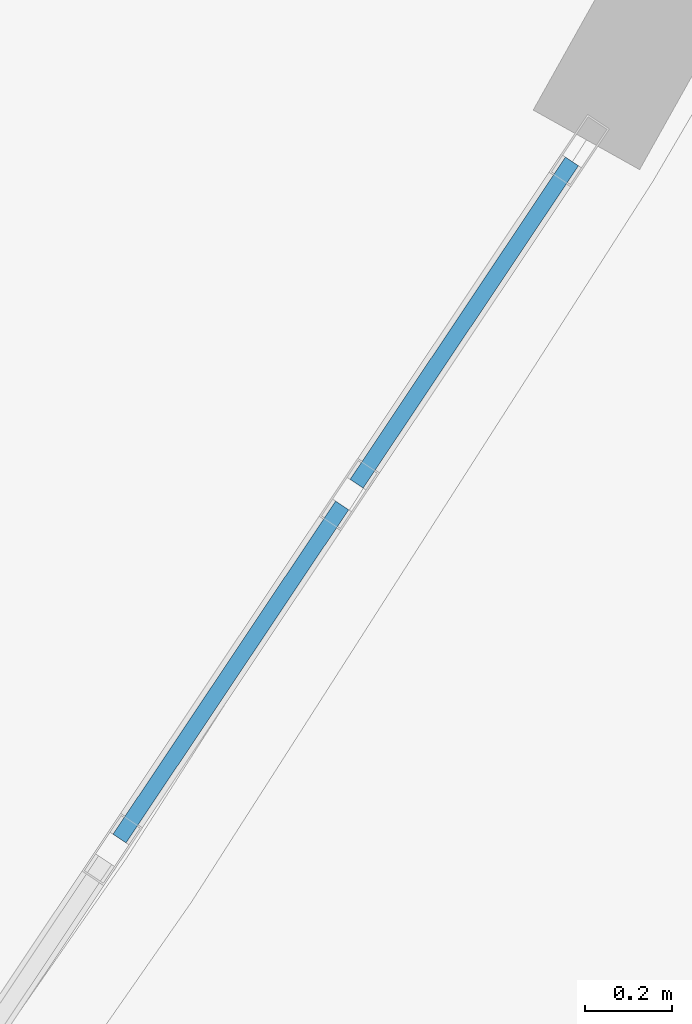
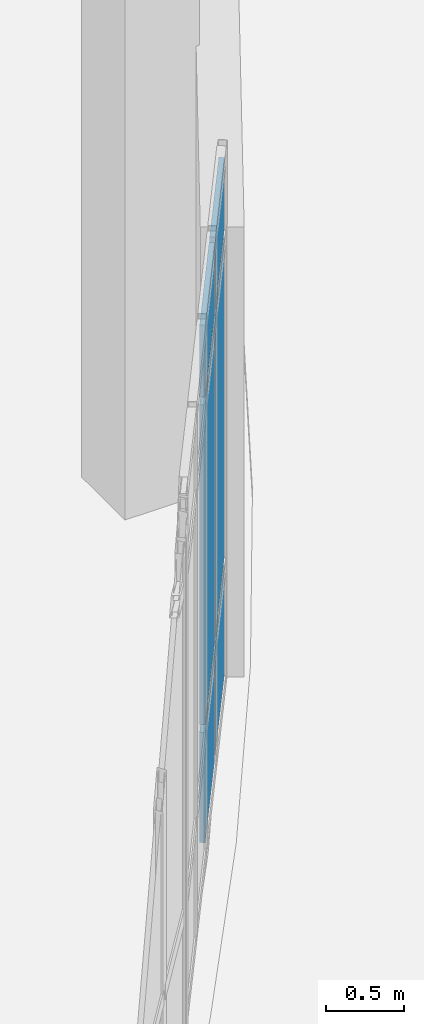
# One storey, part 101 of 134: 6 plates, 1 element without a shape of its own.
"""IFC4 building model written with IfcOpenShell, lengths in metres."""

from ifc_helpers import new_model, si_unit, direction, frame, origin, origin_2d, place, context, subcontext, project, spatial, rectangle, extrude, material, layer, layer_set, type_object, element, aggregate, save


model = new_model("IFC4")

# Units and contexts
model_context = context("Model", 3, precision=1e-05, world=origin(), true_north=direction((0.0, 1.0)))
body_context = subcontext(model_context, "Body", "Model", "MODEL_VIEW")
ifc_project = project(units=[si_unit("LENGTHUNIT", "METRE"), si_unit("AREAUNIT", "SQUARE_METRE"), si_unit("VOLUMEUNIT", "CUBIC_METRE"), si_unit("PLANEANGLEUNIT", "RADIAN"), si_unit("MASSUNIT", "GRAM", prefix="KILO")], contexts=[model_context])

# Site, building, storey
site_placement = place(None, origin())
site = spatial("IfcSite", under=ifc_project, at=site_placement, CompositionType="ELEMENT")
building_placement = place(site_placement, origin())
building = spatial("IfcBuilding", under=site, at=building_placement, Name="Kalluvel Institute of Natural Sciences", CompositionType="ELEMENT")
storey_placement = place(building_placement, frame((0.0, 0.0, 5.39990234375)))
storey = spatial("IfcBuildingStorey", under=building, at=storey_placement, Name="L01", CompositionType="ELEMENT", Elevation=5.39990234375)

# Curtain wall, plates
ifc_material_1 = material(Name="Aluminium AW-6063 T6", Category="aluminium")
curtain_wall_type = type_object("IfcCurtainWallType", Name="CW-ATR-ARC", PredefinedType="USERDEFINED", material=ifc_material_1)
curtain_wall_placement = place(storey_placement, origin())
curtain_wall = element("IfcCurtainWall", 1, at=curtain_wall_placement, inside=storey, type_object=curtain_wall_type, Name="L01 Gothic lancet curtain wall CWA-L01-X760-Y734", ObjectType="UNITISED LANCET FACADE", PredefinedType="USERDEFINED")
ifc_material_2 = material(Name="Solar-Control Low-E Laminated Glass", Category="glass")
ifc_layer = layer(ifc_material_2, 0.035888671875)
ifc_layer_set = layer_set([ifc_layer], Name="Solar-Control Low-E Laminated Glass")
plate_type = type_object("IfcPlateType", Name="CWP-DGU-36", PredefinedType="CURTAIN_PANEL", material=ifc_layer_set)
plate_1_placement = place(storey_placement, frame((77.372314453125, 75.478271484375, 0.06005859375), z_axis=(0.0, 0.0, 1.0), x_axis=(0.555570699054, 0.831469300908, 0.0)))
plate_1 = element("IfcPlate", 2, at=plate_1_placement, type_object=plate_type, Name="CW-05 panel 3.1", PredefinedType="CURTAIN_PANEL", context=body_context, shape_type="SweptSolid", body=[
    extrude(rectangle(XDim=0.92041015625, YDim=0.035888671875, at=origin_2d()), origin(), (0.0, 0.0, 1.0), 0.860107421875),
])
plate_2_placement = place(storey_placement, frame((77.372314453125, 75.478271484375, 0.97998046875), z_axis=(0.0, 0.0, 1.0), x_axis=(0.555570699054, 0.831469300908, 0.0)))
plate_2 = element("IfcPlate", 3, at=plate_2_placement, type_object=plate_type, Name="CW-05 panel 3.2", PredefinedType="CURTAIN_PANEL", context=body_context, shape_type="SweptSolid", body=[
    extrude(rectangle(XDim=0.92041015625, YDim=0.035888671875, at=origin_2d()), origin(), (0.0, 0.0, 1.0), 2.489990234375),
])
plate_3_placement = place(storey_placement, frame((77.372314453125, 75.478271484375, 3.530029296875), z_axis=(0.0, 0.0, 1.0), x_axis=(0.555570699054, 0.831469300908, 0.0)))
plate_3 = element("IfcPlate", 4, at=plate_3_placement, type_object=plate_type, Name="CW-05 panel 3.3", PredefinedType="CURTAIN_PANEL", context=body_context, shape_type="SweptSolid", body=[
    extrude(rectangle(XDim=0.92041015625, YDim=0.035888671875, at=origin_2d()), origin(), (0.0, 0.0, 1.0), 0.56005859375),
])
plate_4_placement = place(storey_placement, frame((77.90869140625, 76.281005859375, 0.06005859375), z_axis=(0.0, 0.0, 1.0), x_axis=(0.555570699054, 0.831469300908, 0.0)))
plate_4 = element("IfcPlate", 5, at=plate_4_placement, type_object=plate_type, Name="CW-05 panel 4.1", PredefinedType="CURTAIN_PANEL", context=body_context, shape_type="SweptSolid", body=[
    extrude(rectangle(XDim=0.890625, YDim=0.035888671875, at=origin_2d()), origin(), (0.0, 0.0, 1.0), 0.860107421875),
])
plate_5_placement = place(storey_placement, frame((77.90869140625, 76.281005859375, 0.97998046875), z_axis=(0.0, 0.0, 1.0), x_axis=(0.555570699054, 0.831469300908, 0.0)))
plate_5 = element("IfcPlate", 6, at=plate_5_placement, type_object=plate_type, Name="CW-05 panel 4.2", PredefinedType="CURTAIN_PANEL", context=body_context, shape_type="SweptSolid", body=[
    extrude(rectangle(XDim=0.890625, YDim=0.035888671875, at=origin_2d()), origin(), (0.0, 0.0, 1.0), 2.489990234375),
])
plate_6_placement = place(storey_placement, frame((77.90869140625, 76.281005859375, 3.530029296875), z_axis=(0.0, 0.0, 1.0), x_axis=(0.555570699054, 0.831469300908, 0.0)))
plate_6 = element("IfcPlate", 7, at=plate_6_placement, type_object=plate_type, Name="CW-05 panel 4.3", PredefinedType="CURTAIN_PANEL", context=body_context, shape_type="SweptSolid", body=[
    extrude(rectangle(XDim=0.890625, YDim=0.035888671875, at=origin_2d()), origin(), (0.0, 0.0, 1.0), 0.56005859375),
])
aggregate(curtain_wall, [plate_1, plate_2, plate_3, plate_4, plate_5, plate_6])

save(model, "model.ifc")
